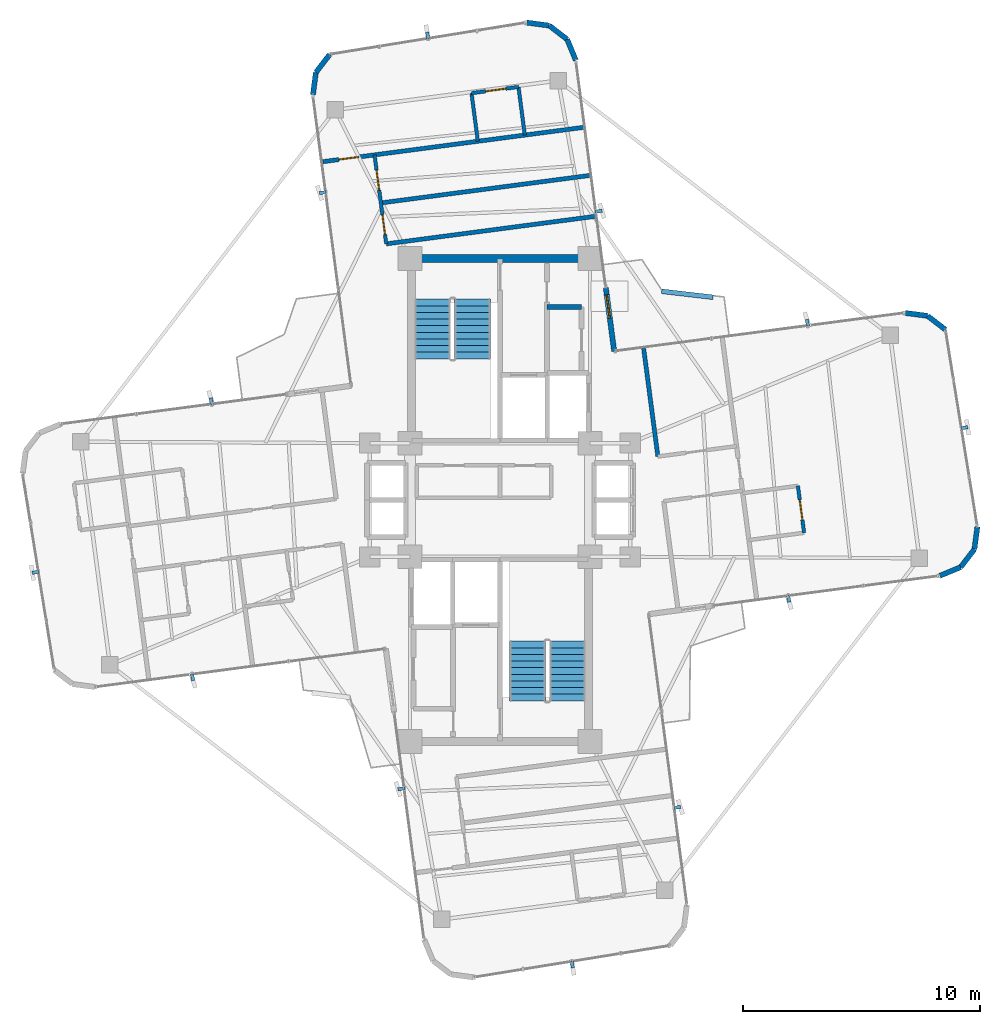
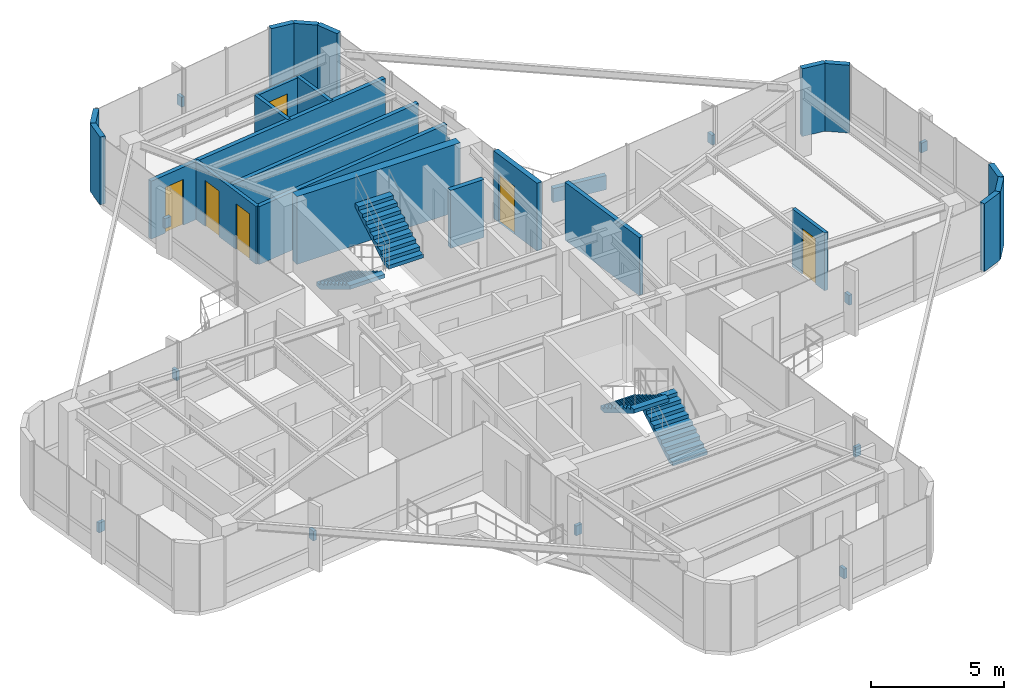
# One storey, part 21 of 22: 23 walls, 12 discrete accessories, 6 doors, 4 stair flights, 6 openings, 2 elements without a shape of their own.
"""IFC4 building model written with IfcOpenShell, lengths in metres."""

from ifc_helpers import new_model, si_unit, direction, frame, frame_2d, origin, origin_2d, place, context, subcontext, project, spatial, polyline, rectangle, outline, extrude, source, transform, mapped, material, layer, layer_set, type_object, element, fill, aggregate, save


model = new_model("IFC4")

# Units and contexts
model_context = context("Model", 3, precision=1e-05, world=origin(), true_north=direction((0.0, 1.0)))
body_context = subcontext(model_context, "Body", "Model", "MODEL_VIEW")
ifc_project = project(units=[si_unit("LENGTHUNIT", "METRE"), si_unit("AREAUNIT", "SQUARE_METRE"), si_unit("VOLUMEUNIT", "CUBIC_METRE"), si_unit("PLANEANGLEUNIT", "RADIAN"), si_unit("MASSUNIT", "GRAM", prefix="KILO")], contexts=[model_context])

# Site, building, storey
site_placement = place(None, origin())
site = spatial("IfcSite", under=ifc_project, at=site_placement, CompositionType="ELEMENT")
building_placement = place(site_placement, origin())
building = spatial("IfcBuilding", under=site, at=building_placement, Name="Sahyath Konkavel Grand Hotel", CompositionType="ELEMENT")
storey_placement = place(building_placement, frame((0.0, 0.0, 257.89990234375)))
storey = spatial("IfcBuildingStorey", under=building, at=storey_placement, Name="L72", CompositionType="ELEMENT", Elevation=257.89990234375)

# Walls
ifc_material_1 = material(Name="Concrete C40/50", Category="concrete")
ifc_layer_1 = layer(ifc_material_1, 0.35009765625)
ifc_layer_set_1 = layer_set([ifc_layer_1], Name="Concrete C40/50")
wall_type_1 = type_object("IfcWallType", Name="CWALL-350", PredefinedType="SHEAR", material=ifc_layer_set_1)
wall_1_placement = place(storey_placement, frame((-3.550048828125, 10.199951171875, 0.0), z_axis=(0.0, 0.0, 1.0), x_axis=(1.0, 0.0, 0.0)))
element("IfcWall", 1, at=wall_1_placement, inside=storey, type_object=wall_type_1, Name="L72 North Core Shear Wall N", PredefinedType="SHEAR", context=body_context, shape_type="SweptSolid", body=[
    extrude(rectangle(XDim=7.10009765625, YDim=0.35009765625, at=frame_2d((3.550048828125, 0.0))), origin(), (0.0, 0.0, 1.0), 3.110107421875),
])
ifc_material_2 = material(Name="Warm Buff Sandstone Insulated Concrete C40/50", Category="masonry")
ifc_layer_2 = layer(ifc_material_2, 0.219970703125)
ifc_layer_set_2 = layer_set([ifc_layer_2], Name="Warm Buff Sandstone Insulated Concrete C40/50")
wall_type_2 = type_object("IfcWallType", Name="WLL-BALC-THRESH", PredefinedType="STANDARD", material=ifc_layer_set_2)
wall_2_placement = place(storey_placement, frame((18.56689453125, -3.203857421875, 0.0), z_axis=(0.0, 0.0, 1.0), x_axis=(0.923926759112, 0.382569397359, 0.0)))
element("IfcWall", 2, at=wall_2_placement, inside=storey, type_object=wall_type_2, Name="L72 Rounded Corner Sandstone Pier 1", PredefinedType="STANDARD", context=body_context, shape_type="SweptSolid", body=[
    extrude(rectangle(XDim=0.957763671875, YDim=0.219970703125, at=frame_2d((0.47900390625, 0.0))), origin(), (0.0, 0.0, 1.0), 3.110107421875),
])
for number, where, z_axis, x_axis, name in (
    (3, (19.451904296875, -2.83740234375, 0.0), (0.0, 0.0, 1.0), (0.60861352168, 0.793466811674, 0.0), "L72 Rounded Corner Sandstone Pier 2"),
    (4, (20.03466796875, -2.07763671875, 0.0), (0.0, 0.0, 1.0), (0.13056005306, 0.991440402921, 0.0), "L72 Rounded Corner Sandstone Pier 3"),
    (5, (18.814208984375, 7.1923828125, 0.0), (0.0, 0.0, 1.0), (-0.793249178392, 0.608897151398, 0.0), "L72 Rounded Corner Sandstone Pier 5"),
):
    element("IfcWall", number, at=place(storey_placement, frame(where, z_axis=z_axis, x_axis=x_axis)), inside=storey, type_object=wall_type_2, Name=name, PredefinedType="STANDARD", context=body_context, shape_type="SweptSolid", body=[
        extrude(rectangle(XDim=0.95751953125, YDim=0.219970703125, at=frame_2d((0.478759765625, 0.0))), origin(), (0.0, 0.0, 1.0), 3.110107421875),
    ])
wall_3_placement = place(storey_placement, frame((18.0546875, 7.775390625, 0.0), z_axis=(0.0, 0.0, 1.0), x_axis=(-0.991449089759, 0.130494070426, 0.0)))
element("IfcWall", 6, at=wall_3_placement, inside=storey, type_object=wall_type_2, Name="L72 Rounded Corner Sandstone Pier 6", PredefinedType="STANDARD", context=body_context, shape_type="SweptSolid", body=[
    extrude(rectangle(XDim=0.9580078125, YDim=0.219970703125, at=frame_2d((0.47900390625, 0.0))), origin(), (0.0, 0.0, 1.0), 3.110107421875),
])

# Wall, opening, door
wall_4_placement = place(storey_placement, frame((4.821044921875, 6.282958984375, 0.0), z_axis=(0.0, 0.0, 1.0), x_axis=(-0.130475563272, 0.991451525486, 0.0)))
wall_4 = element("IfcWall", 7, at=wall_4_placement, inside=storey, type_object=wall_type_2, Name="L72 Winter-Garden Threshold Wall 8", PredefinedType="STANDARD", context=body_context, shape_type="SweptSolid", body=[
    extrude(rectangle(XDim=2.7001953125, YDim=0.219970703125, at=frame_2d((1.35009765625, 0.0))), origin(), (0.0, 0.0, 1.0), 3.110107421875),
])
opening_1_placement = place(wall_4_placement, frame((1.39990234375, 0.0, 0.0)))
opening_1 = element("IfcOpeningElement", 8, at=opening_1_placement, cuts=wall_4, Name="Opening D-TR1", PredefinedType="OPENING", context=body_context, shape_type="SweptSolid", body=[
    extrude(rectangle(XDim=1.0, YDim=2.199951171875, at=frame_2d((0.5, 1.10009765625))), frame((0.0, 0.1201171875, 0.0), z_axis=(0.0, -1.0, 0.0), x_axis=(1.0, 0.0, 0.0)), (0.0, 0.0, 1.0), 0.239990234375),
])
ifc_material_3 = material(Name="Anodised Bronze Aluminium & Low-E Glazing", Category="aluminium")
door_type_1 = type_object("IfcDoorType", Name="DR-TERRACE-1000", OperationType="NOTDEFINED", PredefinedType="DOOR", material=ifc_material_3)
shared_shape_1 = source(origin(), body_context, "Body", "SweptSolid", [
    extrude(rectangle(XDim=1.0, YDim=0.050048828125, at=origin_2d()), origin(), (0.0, 0.0, 1.0), 2.199951171875),
])
door_1_placement = place(opening_1_placement, frame((0.5, 0.0, 0.0)))
door_1 = element("IfcDoor", 9, at=door_1_placement, inside=storey, type_object=door_type_1, Name="L72 Winter-Garden Terrace Door 8", OperationType="SINGLE_SWING_LEFT", OverallHeight=2.199951171875, OverallWidth=1.0, PredefinedType="DOOR", context=body_context, shape_type="MappedRepresentation", body=[
    mapped(shared_shape_1, transform((0.0, 0.0, 0.0), scale=1.0)),
])
fill(opening_1, door_1)

# Walls
wall_5_placement = place(storey_placement, frame((3.203857421875, 18.56689453125, 0.0), z_axis=(0.0, 0.0, 1.0), x_axis=(-0.382569397359, 0.923926759112, 0.0)))
element("IfcWall", 10, at=wall_5_placement, inside=storey, type_object=wall_type_2, Name="L72 Rounded Corner Sandstone Pier 9", PredefinedType="STANDARD", context=body_context, shape_type="SweptSolid", body=[
    extrude(rectangle(XDim=0.957763671875, YDim=0.219970703125, at=frame_2d((0.47900390625, 0.0))), origin(), (0.0, 0.0, 1.0), 3.110107421875),
])
for number, where, z_axis, x_axis, name in (
    (11, (2.83740234375, 19.451904296875, 0.0), (0.0, 0.0, 1.0), (-0.793466811674, 0.60861352168, 0.0), "L72 Rounded Corner Sandstone Pier 10"),
    (12, (2.07763671875, 20.03466796875, 0.0), (0.0, 0.0, 1.0), (-0.991440402921, 0.13056005306, 0.0), "L72 Rounded Corner Sandstone Pier 11"),
    (13, (-7.1923828125, 18.814208984375, 0.0), (0.0, 0.0, 1.0), (-0.608897151398, -0.793249178392, 0.0), "L72 Rounded Corner Sandstone Pier 13"),
):
    element("IfcWall", number, at=place(storey_placement, frame(where, z_axis=z_axis, x_axis=x_axis)), inside=storey, type_object=wall_type_2, Name=name, PredefinedType="STANDARD", context=body_context, shape_type="SweptSolid", body=[
        extrude(rectangle(XDim=0.95751953125, YDim=0.219970703125, at=frame_2d((0.478759765625, 0.0))), origin(), (0.0, 0.0, 1.0), 3.110107421875),
    ])
wall_6_placement = place(storey_placement, frame((-7.775390625, 18.0546875, 0.0), z_axis=(0.0, 0.0, 1.0), x_axis=(-0.130494070426, -0.991449089759, 0.0)))
element("IfcWall", 14, at=wall_6_placement, inside=storey, type_object=wall_type_2, Name="L72 Rounded Corner Sandstone Pier 14", PredefinedType="STANDARD", context=body_context, shape_type="SweptSolid", body=[
    extrude(rectangle(XDim=0.9580078125, YDim=0.219970703125, at=frame_2d((0.47900390625, 0.0))), origin(), (0.0, 0.0, 1.0), 3.110107421875),
])
ifc_layer_3 = layer(ifc_material_1, 0.199951171875)
ifc_layer_set_3 = layer_set([ifc_layer_3], Name="Concrete C40/50")
wall_type_3 = type_object("IfcWallType", Name="WLL-CORE-200", PredefinedType="SOLIDWALL", material=ifc_layer_set_3)
wall_7_placement = place(storey_placement, frame((1.97998046875, 8.14990234375, 0.0), z_axis=(0.0, 0.0, 1.0), x_axis=(1.0, 0.0, 0.0)))
element("IfcWall", 15, at=wall_7_placement, inside=storey, type_object=wall_type_3, Name="L72 Partition NC-REC-N", PredefinedType="SOLIDWALL", context=body_context, shape_type="SweptSolid", body=[
    extrude(rectangle(XDim=1.4599609375, YDim=0.199951171875, at=frame_2d((0.72998046875, 0.0))), origin(), (0.0, 0.0, 1.0), 2.66015625),
])
ifc_material_4 = material(Name="Twin-Stud Acoustic Gypsum Plasterboard Partition")
ifc_layer_4 = layer(ifc_material_4, 0.179931640625)
ifc_layer_set_4 = layer_set([ifc_layer_4], Name="Twin-Stud Acoustic Gypsum Plasterboard Partition")
wall_type_4 = type_object("IfcWallType", Name="WLL-DEMISE-180", PredefinedType="PARTITIONING", material=ifc_layer_set_4)
wall_8_placement = place(storey_placement, frame((6.66748046875, 1.8359375, 0.0), z_axis=(0.0, 0.0, 1.0), x_axis=(-0.130564346904, 0.991439837467, 0.0)))
element("IfcWall", 16, at=wall_8_placement, inside=storey, type_object=wall_type_4, Name="L72 Partition E-INL", PredefinedType="PARTITIONING", context=body_context, shape_type="SweptSolid", body=[
    extrude(rectangle(XDim=4.599853515625, YDim=0.179931640625, at=frame_2d((2.2998046875, 0.0))), origin(), (0.0, 0.0, 1.0), 2.66015625),
])
for number, where, z_axis, x_axis, name in (
    (17, (4.02099609375, 11.977294921875, 0.0), (0.0, 0.0, 1.0), (-0.991445516569, -0.130521215423, 0.0), "L72 Partition N-G5I"),
    (18, (-5.0302734375, 12.543701171875, 0.0), (0.0, 0.0, 1.0), (0.991445516569, 0.130521215423, 0.0), "L72 Partition N-ND1-DEM"),
):
    element("IfcWall", number, at=place(storey_placement, frame(where, z_axis=z_axis, x_axis=x_axis)), inside=storey, type_object=wall_type_4, Name=name, PredefinedType="PARTITIONING", context=body_context, shape_type="SweptSolid", body=[
        extrude(rectangle(XDim=8.89990234375, YDim=0.179931640625, at=frame_2d((4.449951171875, 0.0))), origin(), (0.0, 0.0, 1.0), 2.66015625),
    ])

# Wall, opening, door
wall_9_placement = place(storey_placement, frame((3.5263671875, 15.73486328125, 0.0), z_axis=(0.0, 0.0, 1.0), x_axis=(-0.991446283422, -0.130515390239, 0.0)))
wall_9 = element("IfcWall", 19, at=wall_9_placement, inside=storey, type_object=wall_type_4, Name="L72 Partition N-NTIP-END", PredefinedType="PARTITIONING", context=body_context, shape_type="SweptSolid", body=[
    extrude(rectangle(XDim=11.10009765625, YDim=0.179931640625, at=frame_2d((5.550048828125, 0.0))), origin(), (0.0, 0.0, 1.0), 2.66015625),
])
opening_2_placement = place(wall_9_placement, frame((9.574951171875, 0.0, 0.0)))
opening_2 = element("IfcOpeningElement", 20, at=opening_2_placement, cuts=wall_9, Name="Opening D-F06D", PredefinedType="OPENING", context=body_context, shape_type="SweptSolid", body=[
    extrude(rectangle(XDim=0.85009765625, YDim=2.10009765625, at=frame_2d((0.425048828125, 1.050048828125))), frame((0.0, 0.10009765625, 0.0), z_axis=(0.0, -1.0, 0.0), x_axis=(1.0, 0.0, 0.0)), (0.0, 0.0, 1.0), 0.199951171875),
])
ifc_material_5 = material(Name="Fire-Rated Shaft Access Door")
door_type_2 = type_object("IfcDoorType", Name="DR-FD60-850", OperationType="NOTDEFINED", PredefinedType="DOOR", material=ifc_material_5)
shared_shape_2 = source(origin(), body_context, "Body", "SweptSolid", [
    extrude(rectangle(XDim=0.85009765625, YDim=0.050048828125, at=origin_2d()), origin(), (0.0, 0.0, 1.0), 2.10009765625),
])
door_2_placement = place(opening_2_placement, frame((0.425048828125, 0.0, 0.0)))
door_2 = element("IfcDoor", 21, at=door_2_placement, inside=storey, type_object=door_type_2, Name="L72 Door N-NTIP-ED", OperationType="SINGLE_SWING_LEFT", OverallHeight=2.10009765625, OverallWidth=0.85009765625, PredefinedType="DOOR", context=body_context, shape_type="MappedRepresentation", body=[
    mapped(shared_shape_2, transform((0.0, 0.0, 0.0), scale=1.0)),
])
fill(opening_2, door_2)

ifc_material_6 = material(Name="Fire-Rated Gypsum Plasterboard Partition")
ifc_layer_5 = layer(ifc_material_6, 0.14990234375)
ifc_layer_set_5 = layer_set([ifc_layer_5], Name="Fire-Rated Gypsum Plasterboard Partition")
wall_type_5 = type_object("IfcWallType", Name="WLL-PART-150", PredefinedType="PARTITIONING", material=ifc_layer_set_5)
wall_10_placement = place(storey_placement, frame((12.8408203125, -1.3857421875, 0.0), z_axis=(0.0, 0.0, 1.0), x_axis=(-0.130612392842, 0.991433509034, 0.0)))
wall_10 = element("IfcWall", 22, at=wall_10_placement, inside=storey, type_object=wall_type_5, Name="L72 Partition E-ETIP-BE", PredefinedType="PARTITIONING", context=body_context, shape_type="SweptSolid", body=[
    extrude(rectangle(XDim=2.0, YDim=0.14990234375, at=frame_2d((1.0, 0.0))), origin(), (0.0, 0.0, 1.0), 2.66015625),
])
opening_3_placement = place(wall_10_placement, frame((0.550048828125, 0.0, 0.0)))
opening_3 = element("IfcOpeningElement", 23, at=opening_3_placement, cuts=wall_10, Name="Opening D-BT85", PredefinedType="OPENING", context=body_context, shape_type="SweptSolid", body=[
    extrude(rectangle(XDim=0.85009765625, YDim=2.10009765625, at=frame_2d((0.425048828125, 1.050048828125))), frame((0.0, 0.0849609375, 0.0), z_axis=(0.0, -1.0, 0.0), x_axis=(1.0, 0.0, 0.0)), (0.0, 0.0, 1.0), 0.169921875),
])
ifc_material_7 = material(Name="Moisture-Resistant Teak Bathroom Door")
door_type_3 = type_object("IfcDoorType", Name="DR-BATH-850", OperationType="NOTDEFINED", PredefinedType="DOOR", material=ifc_material_7)
door_3_placement = place(opening_3_placement, frame((0.425048828125, 0.0, 0.0)))
door_3 = element("IfcDoor", 24, at=door_3_placement, inside=storey, type_object=door_type_3, Name="L72 Door E-ETIP-BD", OperationType="SINGLE_SWING_RIGHT", OverallHeight=2.10009765625, OverallWidth=0.85009765625, PredefinedType="DOOR", context=body_context, shape_type="MappedRepresentation", body=[
    mapped(shared_shape_2, transform((0.0, 0.0, 0.0), scale=1.0)),
])
fill(opening_3, door_3)

# Wall, openings, doors
wall_11_placement = place(storey_placement, frame((-4.802734375, 10.815673828125, 0.0), z_axis=(0.0, 0.0, 1.0), x_axis=(-0.130572821025, 0.99143872146, 0.0)))
wall_11 = element("IfcWall", 25, at=wall_11_placement, inside=storey, type_object=wall_type_5, Name="L72 Partition N-G5W", PredefinedType="PARTITIONING", context=body_context, shape_type="SweptSolid", body=[
    extrude(rectangle(XDim=3.7900390625, YDim=0.14990234375, at=frame_2d((1.89501953125, 0.0))), origin(), (0.0, 0.0, 1.0), 2.66015625),
])
opening_4_placement = place(wall_11_placement, frame((0.39599609375, 0.0, 0.0)))
opening_4 = element("IfcOpeningElement", 26, at=opening_4_placement, cuts=wall_11, Name="Opening D-F06D", PredefinedType="OPENING", context=body_context, shape_type="SweptSolid", body=[
    extrude(rectangle(XDim=0.85009765625, YDim=2.10009765625, at=frame_2d((0.425048828125, 1.050048828125))), frame((0.0, 0.0849609375, 0.0), z_axis=(0.0, -1.0, 0.0), x_axis=(1.0, 0.0, 0.0)), (0.0, 0.0, 1.0), 0.169921875),
])
opening_5_placement = place(wall_11_placement, frame((2.2919921875, 0.0, 0.0)))
opening_5 = element("IfcOpeningElement", 27, at=opening_5_placement, cuts=wall_11, Name="Opening D-F06D", PredefinedType="OPENING", context=body_context, shape_type="SweptSolid", body=[
    extrude(rectangle(XDim=0.85009765625, YDim=2.10009765625, at=frame_2d((0.425048828125, 1.050048828125))), frame((0.0, 0.0849609375, 0.0), z_axis=(0.0, -1.0, 0.0), x_axis=(1.0, 0.0, 0.0)), (0.0, 0.0, 1.0), 0.169921875),
])
door_4_placement = place(opening_4_placement, frame((0.425048828125, 0.0, 0.0)))
door_4 = element("IfcDoor", 28, at=door_4_placement, inside=storey, type_object=door_type_2, Name="L72 Door N-ND1-D", OperationType="SINGLE_SWING_RIGHT", OverallHeight=2.10009765625, OverallWidth=0.85009765625, PredefinedType="DOOR", context=body_context, shape_type="MappedRepresentation", body=[
    mapped(shared_shape_2, transform((0.0, 0.0, 0.0), scale=1.0)),
])
fill(opening_4, door_4)
door_5_placement = place(opening_5_placement, frame((0.425048828125, 0.0, 0.0)))
door_5 = element("IfcDoor", 29, at=door_5_placement, inside=storey, type_object=door_type_2, Name="L72 Door N-ND2-D", OperationType="SINGLE_SWING_LEFT", OverallHeight=2.10009765625, OverallWidth=0.85009765625, PredefinedType="DOOR", context=body_context, shape_type="MappedRepresentation", body=[
    mapped(shared_shape_2, transform((0.0, 0.0, 0.0), scale=1.0)),
])
fill(opening_5, door_5)

# Walls
wall_12_placement = place(storey_placement, frame((-0.93505859375, 15.1474609375, 0.0), z_axis=(0.0, 0.0, 1.0), x_axis=(-0.13052536781, 0.991444969909, 0.0)))
element("IfcWall", 30, at=wall_12_placement, inside=storey, type_object=wall_type_5, Name="L72 Partition N-NTIP-BN", PredefinedType="PARTITIONING", context=body_context, shape_type="SweptSolid", body=[
    extrude(rectangle(XDim=2.050048828125, YDim=0.14990234375, at=frame_2d((1.02490234375, 0.0))), origin(), (0.0, 0.0, 1.0), 2.66015625),
])
wall_13_placement = place(storey_placement, frame((1.047607421875, 15.40869140625, 0.0), z_axis=(0.0, 0.0, 1.0), x_axis=(-0.130423701621, 0.991458349128, 0.0)))
element("IfcWall", 31, at=wall_13_placement, inside=storey, type_object=wall_type_5, Name="L72 Partition N-NTIP-BS", PredefinedType="PARTITIONING", context=body_context, shape_type="SweptSolid", body=[
    extrude(rectangle(XDim=2.0498046875, YDim=0.14990234375, at=frame_2d((1.02490234375, 0.0))), origin(), (0.0, 0.0, 1.0), 2.66015625),
])

# Wall, opening, door
wall_14_placement = place(storey_placement, frame((0.7802734375, 17.44091796875, 0.0), z_axis=(0.0, 0.0, 1.0), x_axis=(-0.991449308994, -0.130492404742, 0.0)))
wall_14 = element("IfcWall", 32, at=wall_14_placement, inside=storey, type_object=wall_type_5, Name="L72 Partition N-NTIP-BE", PredefinedType="PARTITIONING", context=body_context, shape_type="SweptSolid", body=[
    extrude(rectangle(XDim=2.0, YDim=0.14990234375, at=frame_2d((1.0, 0.0))), origin(), (0.0, 0.0, 1.0), 2.630126953125),
])
opening_6_placement = place(wall_14_placement, frame((0.550048828125, 0.0, 0.0)))
opening_6 = element("IfcOpeningElement", 33, at=opening_6_placement, cuts=wall_14, Name="Opening D-BT85", PredefinedType="OPENING", context=body_context, shape_type="SweptSolid", body=[
    extrude(rectangle(XDim=0.85009765625, YDim=2.10009765625, at=frame_2d((0.425048828125, 1.050048828125))), frame((0.0, 0.0849609375, 0.0), z_axis=(0.0, -1.0, 0.0), x_axis=(1.0, 0.0, 0.0)), (0.0, 0.0, 1.0), 0.169921875),
])
door_6_placement = place(opening_6_placement, frame((0.425048828125, 0.0, 0.0)))
door_6 = element("IfcDoor", 34, at=door_6_placement, inside=storey, type_object=door_type_3, Name="L72 Door N-NTIP-BD", OperationType="SINGLE_SWING_RIGHT", OverallHeight=2.10009765625, OverallWidth=0.85009765625, PredefinedType="DOOR", context=body_context, shape_type="MappedRepresentation", body=[
    mapped(shared_shape_2, transform((0.0, 0.0, 0.0), scale=1.0)),
])
fill(opening_6, door_6)

# Wall
ifc_material_8 = material(Name="Warm Buff Sandstone Planter Wall", Category="masonry")
ifc_layer_6 = layer(ifc_material_8, 0.199951171875)
ifc_layer_set_6 = layer_set([ifc_layer_6], Name="Warm Buff Sandstone Planter Wall")
wall_type_6 = type_object("IfcWallType", Name="WLL-PLANTER-200", PredefinedType="PARAPET", material=ifc_layer_set_6)
wall_15_placement = place(storey_placement, frame((8.99853515625, 8.560791015625, 0.0), z_axis=(0.0, 0.0, 1.0), x_axis=(-0.99333387801, 0.11527274959, 0.0)))
element("IfcWall", 35, at=wall_15_placement, inside=storey, type_object=wall_type_6, Name="L72 Sky-Garden Stone Planter PLANTER NE", PredefinedType="PARAPET", context=body_context, shape_type="SweptSolid", body=[
    extrude(rectangle(XDim=2.185791015625, YDim=0.199951171875, at=frame_2d((1.0927734375, 0.0))), origin(), (0.0, 0.0, 1.0), 0.650146484375),
])

# Stair, stair flights
stair_type = type_object("IfcStairType", Name="STR-ST16-335", PredefinedType="HALF_TURN_STAIR", material=ifc_material_1)
stair_1_placement = place(storey_placement, origin())
stair_1 = element("IfcStair", 36, at=stair_1_placement, inside=storey, type_object=stair_type, Name="L72 North Core Smokeproof Exit Stair ST-1", PredefinedType="HALF_TURN_STAIR")
stair_flight_type = type_object("IfcStairFlightType", Name="STF-ST16-335", PredefinedType="STRAIGHT", material=ifc_material_1)
stair_flight_1_placement = place(storey_placement, frame((-2.840087890625, 8.47998046875, 0.0), z_axis=(0.0, 0.0, 1.0), x_axis=(0.0, -1.0, 0.0)))
stair_flight_1 = element("IfcStairFlight", 37, at=stair_flight_1_placement, type_object=stair_flight_type, Name="ST-1 flight 1", NumberOfRisers=10, NumberOfTreads=9, PredefinedType="STRAIGHT", RiserHeight=0.1675, TreadLength=0.28, context=body_context, shape_type="SweptSolid", body=[
    extrude(outline(polyline([(0.0, 0.0), (0.0, 0.16748046875), (0.280029296875, 0.16748046875), (0.280029296875, 0.3349609375), (0.56005859375, 0.3349609375), (0.56005859375, 0.50244140625), (0.840087890625, 0.50244140625), (0.840087890625, 0.669921875), (1.1201171875, 0.669921875), (1.1201171875, 0.83740234375), (1.39990234375, 0.83740234375), (1.39990234375, 1.0048828125), (1.679931640625, 1.0048828125), (1.679931640625, 1.172607421875), (1.9599609375, 1.172607421875), (1.9599609375, 1.340087890625), (2.239990234375, 1.340087890625), (2.239990234375, 1.507568359375), (2.52001953125, 1.507568359375), (2.52001953125, 1.675048828125), (2.52001953125, 1.332763671875), (0.2919921875, 0.0), (0.0, 0.0)])), frame((0.0, 0.760009765625, 0.0), z_axis=(0.0, -1.0, 0.0), x_axis=(1.0, 0.0, 0.0)), (0.0, 0.0, 1.0), 1.52001953125),
])
stair_flight_2_placement = place(storey_placement, frame((-1.159912109375, 5.9599609375, 1.675048828125), z_axis=(0.0, 0.0, 1.0), x_axis=(0.0, 1.0, 0.0)))
stair_flight_2 = element("IfcStairFlight", 38, at=stair_flight_2_placement, type_object=stair_flight_type, Name="ST-1 flight 2", NumberOfRisers=10, NumberOfTreads=9, PredefinedType="STRAIGHT", RiserHeight=0.1675, TreadLength=0.28, context=body_context, shape_type="SweptSolid", body=[
    extrude(outline(polyline([(0.0, 0.0), (0.0, 0.16748046875), (0.280029296875, 0.16748046875), (0.280029296875, 0.3349609375), (0.56005859375, 0.3349609375), (0.56005859375, 0.50244140625), (0.840087890625, 0.50244140625), (0.840087890625, 0.669921875), (1.1201171875, 0.669921875), (1.1201171875, 0.83740234375), (1.39990234375, 0.83740234375), (1.39990234375, 1.0048828125), (1.679931640625, 1.0048828125), (1.679931640625, 1.172607421875), (1.9599609375, 1.172607421875), (1.9599609375, 1.340087890625), (2.239990234375, 1.340087890625), (2.239990234375, 1.507568359375), (2.52001953125, 1.507568359375), (2.52001953125, 1.675048828125), (2.52001953125, 1.332763671875), (0.2919921875, 0.0), (0.0, 0.0)])), frame((0.0, 0.760009765625, 0.0), z_axis=(0.0, -1.0, 0.0), x_axis=(1.0, 0.0, 0.0)), (0.0, 0.0, 1.0), 1.52001953125),
])
aggregate(stair_1, [stair_flight_1, stair_flight_2])

stair_2_placement = place(storey_placement, origin())
stair_2 = element("IfcStair", 39, at=stair_2_placement, inside=storey, type_object=stair_type, Name="L72 South Core Smokeproof Exit Stair ST-2", PredefinedType="HALF_TURN_STAIR")
stair_flight_3_placement = place(storey_placement, frame((2.840087890625, -8.47998046875, 0.0), z_axis=(0.0, 0.0, 1.0), x_axis=(0.0, 1.0, 0.0)))
stair_flight_3 = element("IfcStairFlight", 40, at=stair_flight_3_placement, type_object=stair_flight_type, Name="ST-2 flight 1", NumberOfRisers=10, NumberOfTreads=9, PredefinedType="STRAIGHT", RiserHeight=0.1675, TreadLength=0.28, context=body_context, shape_type="SweptSolid", body=[
    extrude(outline(polyline([(0.0, 0.0), (0.0, 0.16748046875), (0.280029296875, 0.16748046875), (0.280029296875, 0.3349609375), (0.56005859375, 0.3349609375), (0.56005859375, 0.50244140625), (0.840087890625, 0.50244140625), (0.840087890625, 0.669921875), (1.1201171875, 0.669921875), (1.1201171875, 0.83740234375), (1.39990234375, 0.83740234375), (1.39990234375, 1.0048828125), (1.679931640625, 1.0048828125), (1.679931640625, 1.172607421875), (1.9599609375, 1.172607421875), (1.9599609375, 1.340087890625), (2.239990234375, 1.340087890625), (2.239990234375, 1.507568359375), (2.52001953125, 1.507568359375), (2.52001953125, 1.675048828125), (2.52001953125, 1.332763671875), (0.2919921875, 0.0), (0.0, 0.0)])), frame((0.0, 0.760009765625, 0.0), z_axis=(0.0, -1.0, 0.0), x_axis=(1.0, 0.0, 0.0)), (0.0, 0.0, 1.0), 1.52001953125),
])
stair_flight_4_placement = place(storey_placement, frame((1.159912109375, -5.9599609375, 1.675048828125), z_axis=(0.0, 0.0, 1.0), x_axis=(0.0, -1.0, 0.0)))
stair_flight_4 = element("IfcStairFlight", 41, at=stair_flight_4_placement, type_object=stair_flight_type, Name="ST-2 flight 2", NumberOfRisers=10, NumberOfTreads=9, PredefinedType="STRAIGHT", RiserHeight=0.1675, TreadLength=0.28, context=body_context, shape_type="SweptSolid", body=[
    extrude(outline(polyline([(0.0, 0.0), (0.0, 0.16748046875), (0.280029296875, 0.16748046875), (0.280029296875, 0.3349609375), (0.56005859375, 0.3349609375), (0.56005859375, 0.50244140625), (0.840087890625, 0.50244140625), (0.840087890625, 0.669921875), (1.1201171875, 0.669921875), (1.1201171875, 0.83740234375), (1.39990234375, 0.83740234375), (1.39990234375, 1.0048828125), (1.679931640625, 1.0048828125), (1.679931640625, 1.172607421875), (1.9599609375, 1.172607421875), (1.9599609375, 1.340087890625), (2.239990234375, 1.340087890625), (2.239990234375, 1.507568359375), (2.52001953125, 1.507568359375), (2.52001953125, 1.675048828125), (2.52001953125, 1.332763671875), (0.2919921875, 0.0), (0.0, 0.0)])), frame((0.0, 0.760009765625, 0.0), z_axis=(0.0, -1.0, 0.0), x_axis=(1.0, 0.0, 0.0)), (0.0, 0.0, 1.0), 1.52001953125),
])
aggregate(stair_2, [stair_flight_3, stair_flight_4])

# Discrete accessories
ifc_material_9 = material(Name="Steel E350", Category="steel")
discrete_accessory_type = type_object("IfcDiscreteAccessoryType", Name="ACC-FIN-BRACKET", PredefinedType="BRACKET", material=ifc_material_9)
shared_shape_3 = source(origin(), body_context, "Body", "SweptSolid", [
    extrude(rectangle(XDim=0.280029296875, YDim=0.139892578125, at=origin_2d()), origin(), (0.0, 0.0, 1.0), 0.449951171875),
])
for number, where, z_axis, x_axis, name in (
    (42, (12.1923828125, -4.17431640625, 1.330078125), (0.0, 0.0, 1.0), (0.13052619222, -0.991444861374, 0.0), "L72 Fin Support Bracket F0-1"),
    (43, (19.615234375, 3.052734375, 1.330078125), (0.0, 0.0, 1.0), (0.987178088041, 0.159622750546, 0.0), "L72 Fin Support Bracket F4-2"),
    (44, (12.980224609375, 7.48828125, 1.330078125), (0.0, 0.0, 1.0), (-0.13052619222, 0.991444861374, 0.0), "L72 Fin Support Bracket F7-1"),
    (45, (4.17431640625, 12.1923828125, 1.330078125), (0.0, 0.0, 1.0), (0.991444861374, 0.13052619222, 0.0), "L72 Fin Support Bracket F8-1"),
    (46, (-3.052734375, 19.615234375, 1.330078125), (0.0, 0.0, 1.0), (-0.159622750546, 0.987178088041, 0.0), "L72 Fin Support Bracket F12-2"),
    (47, (-7.48828125, 12.980224609375, 1.330078125), (0.0, 0.0, 1.0), (-0.991444861374, -0.13052619222, 0.0), "L72 Fin Support Bracket F15-1"),
    (48, (-12.1923828125, 4.17431640625, 1.330078125), (0.0, 0.0, 1.0), (-0.13052619222, 0.991444861374, 0.0), "L72 Fin Support Bracket F16-1"),
    (49, (-19.615234375, -3.052734375, 1.330078125), (0.0, 0.0, 1.0), (-0.987178088041, -0.159622750546, 0.0), "L72 Fin Support Bracket F20-2"),
    (50, (-12.980224609375, -7.48828125, 1.330078125), (0.0, 0.0, 1.0), (0.13052619222, -0.991444861374, 0.0), "L72 Fin Support Bracket F23-1"),
    (51, (-4.17431640625, -12.1923828125, 1.330078125), (0.0, 0.0, 1.0), (-0.991444861374, -0.13052619222, 0.0), "L72 Fin Support Bracket F24-1"),
    (52, (3.052734375, -19.615234375, 1.330078125), (0.0, 0.0, 1.0), (0.159622750546, -0.987178088041, 0.0), "L72 Fin Support Bracket F28-2"),
    (53, (7.48828125, -12.980224609375, 1.330078125), (0.0, 0.0, 1.0), (0.991444861374, 0.13052619222, 0.0), "L72 Fin Support Bracket F31-1"),
):
    element("IfcDiscreteAccessory", number, at=place(storey_placement, frame(where, z_axis=z_axis, x_axis=x_axis)), inside=storey, type_object=discrete_accessory_type, Name=name, PredefinedType="BRACKET", context=body_context, shape_type="MappedRepresentation", body=[
        mapped(shared_shape_3, transform((0.0, 0.0, 0.0), scale=1.0)),
    ])

save(model, "model.ifc")
